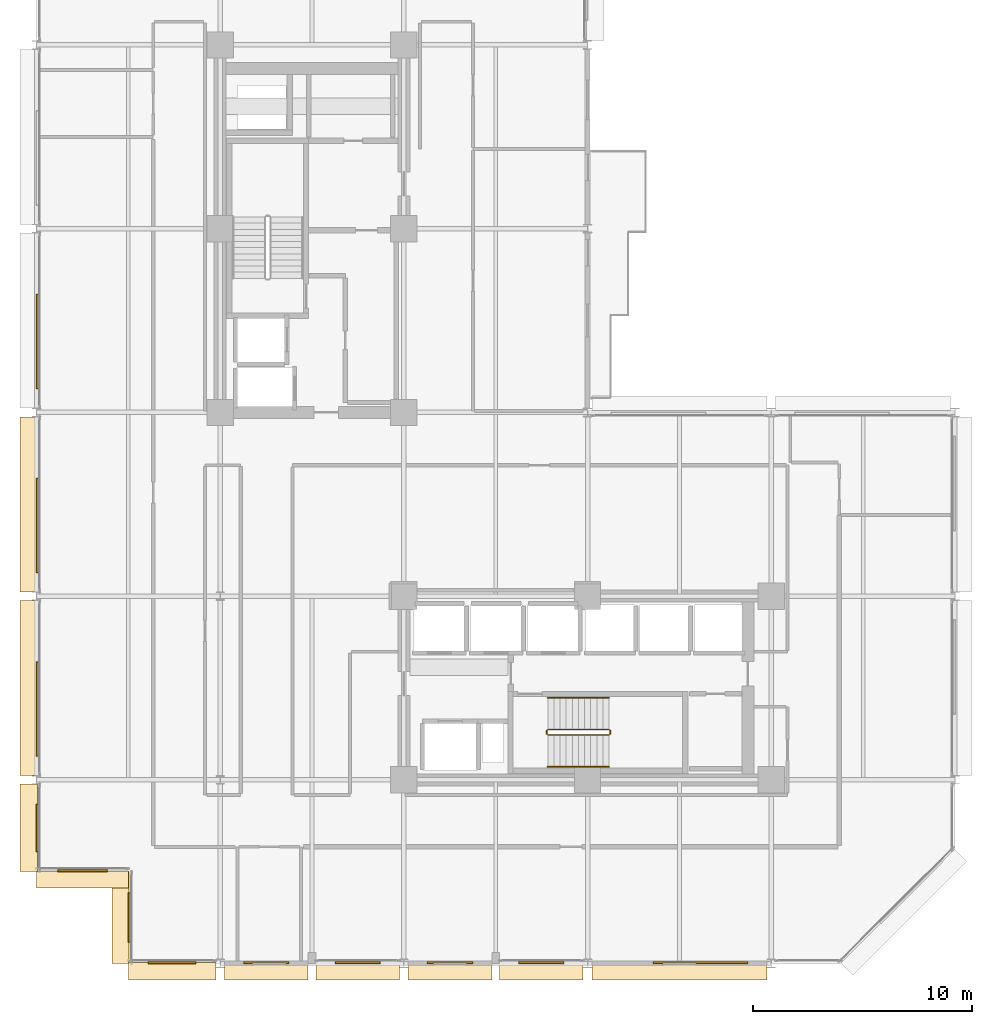
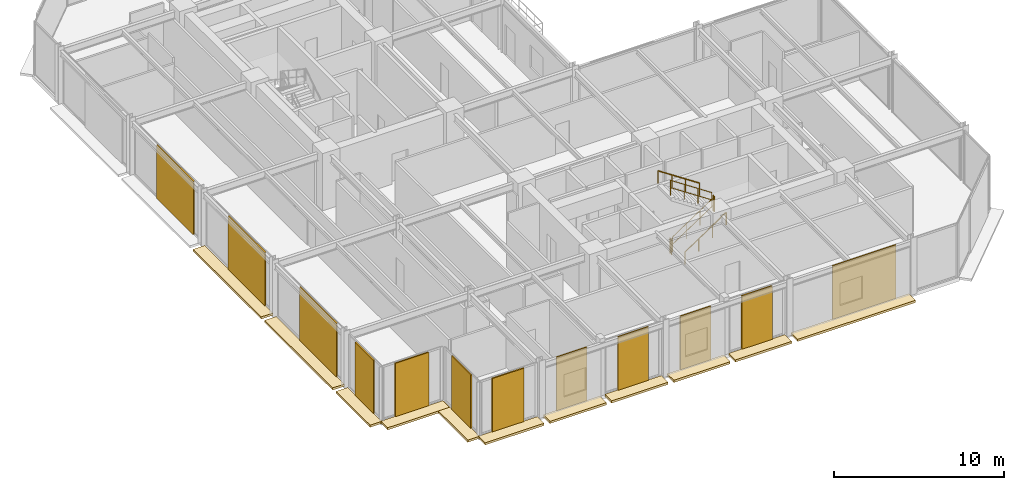
# One storey, part 27 of 30: 23 coverings, 6 railings.
"""IFC4 building model written with IfcOpenShell, lengths in metres."""

from ifc_helpers import new_model, si_unit, direction, frame, origin, origin_2d, place, context, subcontext, project, spatial, polyline, rectangle, circle, outline, extrude, material, layer, layer_set, type_object, element, save


model = new_model("IFC4")

# Units and contexts
model_context = context("Model", 3, precision=1e-05, world=origin(), true_north=direction((0.0, 1.0)))
body_context = subcontext(model_context, "Body", "Model", "MODEL_VIEW")
ifc_project = project(units=[si_unit("LENGTHUNIT", "METRE"), si_unit("AREAUNIT", "SQUARE_METRE"), si_unit("VOLUMEUNIT", "CUBIC_METRE"), si_unit("PLANEANGLEUNIT", "RADIAN"), si_unit("MASSUNIT", "GRAM", prefix="KILO")], contexts=[model_context])

# Site, building, storey
site_placement = place(None, origin())
site = spatial("IfcSite", under=ifc_project, at=site_placement, CompositionType="ELEMENT")
building_placement = place(site_placement, origin())
building = spatial("IfcBuilding", under=site, at=building_placement, Name="Nerrivon Quay Data Exchange", CompositionType="ELEMENT")
storey_placement = place(building_placement, frame((0.0, 0.0, 154.10009765625)))
storey = spatial("IfcBuildingStorey", under=building, at=storey_placement, Name="L36", CompositionType="ELEMENT", Elevation=154.10009765625)

# Coverings
ifc_material_1 = material(Name="Architectural terracotta ceramic", Category="masonry")
ifc_layer_1 = layer(ifc_material_1, 0.159912109375)
ifc_layer_set_1 = layer_set([ifc_layer_1], Name="Architectural terracotta ceramic")
covering_type_1 = type_object("IfcCoveringType", Name="COV-BLD-TERR", PredefinedType="CLADDING", material=ifc_layer_set_1)
covering_1_placement = place(storey_placement, frame((0.0, 0.0, -0.16015625)))
element("IfcCovering", 1, at=covering_1_placement, inside=storey, type_object=covering_type_1, Name="L36 Horizontal Terracotta SOLAR SCREEN Blade", PredefinedType="CLADDING", context=body_context, shape_type="SweptSolid", body=[
    extrude(outline(polyline([(33.39990234375, 0.0400390625), (25.39990234375, 0.0400390625), (25.39990234375, -0.75), (33.39990234375, -0.75), (33.39990234375, 0.0400390625)])), origin(), (0.0, 0.0, 1.0), 0.16015625),
])
covering_2_placement = place(storey_placement, frame((0.0, 0.0, -0.16015625)))
element("IfcCovering", 2, at=covering_2_placement, inside=storey, type_object=covering_type_1, Name="L36 Horizontal Terracotta SOLAR SCREEN Blade", PredefinedType="CLADDING", context=body_context, shape_type="SweptSolid", body=[
    extrude(outline(polyline([(25.0, 0.0400390625), (21.175048828125, 0.0400390625), (21.175048828125, -0.75), (25.0, -0.75), (25.0, 0.0400390625)])), origin(), (0.0, 0.0, 1.0), 0.16015625),
])
covering_3_placement = place(storey_placement, frame((0.0, 0.0, -0.16015625)))
element("IfcCovering", 3, at=covering_3_placement, inside=storey, type_object=covering_type_1, Name="L36 Horizontal Terracotta SOLAR SCREEN Blade", PredefinedType="CLADDING", context=body_context, shape_type="SweptSolid", body=[
    extrude(outline(polyline([(20.824951171875, 0.0400390625), (17.0, 0.0400390625), (17.0, -0.75), (20.824951171875, -0.75), (20.824951171875, 0.0400390625)])), origin(), (0.0, 0.0, 1.0), 0.16015625),
])
covering_4_placement = place(storey_placement, frame((0.0, 0.0, -0.16015625)))
element("IfcCovering", 4, at=covering_4_placement, inside=storey, type_object=covering_type_1, Name="L36 Horizontal Terracotta SOLAR SCREEN Blade", PredefinedType="CLADDING", context=body_context, shape_type="SweptSolid", body=[
    extrude(outline(polyline([(16.60009765625, 0.0400390625), (12.77490234375, 0.0400390625), (12.77490234375, -0.75), (16.60009765625, -0.75), (16.60009765625, 0.0400390625)])), origin(), (0.0, 0.0, 1.0), 0.16015625),
])
covering_5_placement = place(storey_placement, frame((0.0, 0.0, -0.16015625)))
element("IfcCovering", 5, at=covering_5_placement, inside=storey, type_object=covering_type_1, Name="L36 Horizontal Terracotta SOLAR SCREEN Blade", PredefinedType="CLADDING", context=body_context, shape_type="SweptSolid", body=[
    extrude(outline(polyline([(12.425048828125, 0.0400390625), (8.60009765625, 0.0400390625), (8.60009765625, -0.75), (12.425048828125, -0.75), (12.425048828125, 0.0400390625)])), origin(), (0.0, 0.0, 1.0), 0.16015625),
])
covering_6_placement = place(storey_placement, frame((0.0, 0.0, -0.16015625)))
element("IfcCovering", 6, at=covering_6_placement, inside=storey, type_object=covering_type_1, Name="L36 Horizontal Terracotta SOLAR SCREEN Blade", PredefinedType="CLADDING", context=body_context, shape_type="SweptSolid", body=[
    extrude(outline(polyline([(8.199951171875, 0.0400390625), (4.199951171875, 0.0400390625), (4.199951171875, -0.75), (8.199951171875, -0.75), (8.199951171875, 0.0400390625)])), origin(), (0.0, 0.0, 1.0), 0.16015625),
])
covering_7_placement = place(storey_placement, frame((0.0, 0.0, -0.16015625)))
element("IfcCovering", 7, at=covering_7_placement, inside=storey, type_object=covering_type_1, Name="L36 Horizontal Terracotta SOLAR SCREEN Blade", PredefinedType="CLADDING", context=body_context, shape_type="SweptSolid", body=[
    extrude(outline(polyline([(4.239990234375, 0.0), (4.239990234375, 4.199951171875), (3.449951171875, 4.199951171875), (3.449951171875, 0.0), (4.239990234375, 0.0)])), origin(), (0.0, 0.0, 1.0), 0.16015625),
])
covering_8_placement = place(storey_placement, frame((0.0, 0.0, -0.16015625)))
element("IfcCovering", 8, at=covering_8_placement, inside=storey, type_object=covering_type_1, Name="L36 Horizontal Terracotta SOLAR SCREEN Blade", PredefinedType="CLADDING", context=body_context, shape_type="SweptSolid", body=[
    extrude(outline(polyline([(4.199951171875, 4.239990234375), (0.0, 4.239990234375), (0.0, 3.449951171875), (4.199951171875, 3.449951171875), (4.199951171875, 4.239990234375)])), origin(), (0.0, 0.0, 1.0), 0.16015625),
])
covering_9_placement = place(storey_placement, frame((0.0, 0.0, -0.16015625)))
element("IfcCovering", 9, at=covering_9_placement, inside=storey, type_object=covering_type_1, Name="L36 Horizontal Terracotta SOLAR SCREEN Blade", PredefinedType="CLADDING", context=body_context, shape_type="SweptSolid", body=[
    extrude(outline(polyline([(0.0400390625, 4.199951171875), (0.0400390625, 8.199951171875), (-0.75, 8.199951171875), (-0.75, 4.199951171875), (0.0400390625, 4.199951171875)])), origin(), (0.0, 0.0, 1.0), 0.16015625),
])
covering_10_placement = place(storey_placement, frame((0.0, 0.0, -0.16015625)))
element("IfcCovering", 10, at=covering_10_placement, inside=storey, type_object=covering_type_1, Name="L36 Horizontal Terracotta SOLAR SCREEN Blade", PredefinedType="CLADDING", context=body_context, shape_type="SweptSolid", body=[
    extrude(outline(polyline([(0.0400390625, 8.60009765625), (0.0400390625, 16.60009765625), (-0.75, 16.60009765625), (-0.75, 8.60009765625), (0.0400390625, 8.60009765625)])), origin(), (0.0, 0.0, 1.0), 0.16015625),
])
covering_11_placement = place(storey_placement, frame((0.0, 0.0, -0.16015625)))
element("IfcCovering", 11, at=covering_11_placement, inside=storey, type_object=covering_type_1, Name="L36 Horizontal Terracotta SOLAR SCREEN Blade", PredefinedType="CLADDING", context=body_context, shape_type="SweptSolid", body=[
    extrude(outline(polyline([(0.0400390625, 17.0), (0.0400390625, 25.0), (-0.75, 25.0), (-0.75, 17.0), (0.0400390625, 17.0)])), origin(), (0.0, 0.0, 1.0), 0.16015625),
])
ifc_layer_2 = layer(ifc_material_1, 0.090087890625)
ifc_layer_set_2 = layer_set([ifc_layer_2], Name="Architectural terracotta ceramic")
covering_type_2 = type_object("IfcCoveringType", Name="COV-SCR-TERR", PredefinedType="CLADDING", material=ifc_layer_set_2)
covering_12_placement = place(storey_placement, frame((30.360107421875, 0.044921875, 0.0), z_axis=(0.0, 0.0, 1.0), x_axis=(-1.0, 0.0, 0.0)))
element("IfcCovering", 12, at=covering_12_placement, inside=storey, type_object=covering_type_2, Name="L36 Perforated Terracotta SOLAR SCREEN Cassette", PredefinedType="CLADDING", context=body_context, shape_type="SweptSolid", body=[
    extrude(rectangle(XDim=4.320068359375, YDim=0.090087890625, at=origin_2d()), origin(), (0.0, 0.0, 1.0), 3.824951171875),
])
for number, where, z_axis, x_axis, name in (
    (13, (23.08740234375, 0.044921875, 0.0), (0.0, 0.0, 1.0), (-1.0, 0.0, 0.0), "L36 Perforated Terracotta SOLAR SCREEN Cassette"),
    (14, (18.91259765625, 0.044921875, 0.0), (0.0, 0.0, 1.0), (-1.0, 0.0, 0.0), "L36 Perforated Terracotta SOLAR SCREEN Cassette"),
):
    element("IfcCovering", number, at=place(storey_placement, frame(where, z_axis=z_axis, x_axis=x_axis)), inside=storey, type_object=covering_type_2, Name=name, PredefinedType="CLADDING", context=body_context, shape_type="SweptSolid", body=[
        extrude(rectangle(XDim=2.06494140625, YDim=0.090087890625, at=origin_2d()), origin(), (0.0, 0.0, 1.0), 3.824951171875),
    ])
for number, where, z_axis, x_axis, name in (
    (15, (14.6875, 0.044921875, 0.0), (0.0, 0.0, 1.0), (-1.0, 0.0, 0.0), "L36 Perforated Terracotta SOLAR SCREEN Cassette"),
    (16, (10.512451171875, 0.044921875, 0.0), (0.0, 0.0, 1.0), (-1.0, 0.0, 0.0), "L36 Perforated Terracotta SOLAR SCREEN Cassette"),
):
    element("IfcCovering", number, at=place(storey_placement, frame(where, z_axis=z_axis, x_axis=x_axis)), inside=storey, type_object=covering_type_2, Name=name, PredefinedType="CLADDING", context=body_context, shape_type="SweptSolid", body=[
        extrude(rectangle(XDim=2.06591796875, YDim=0.090087890625, at=origin_2d()), origin(), (0.0, 0.0, 1.0), 3.824951171875),
    ])
covering_13_placement = place(storey_placement, frame((6.199951171875, 0.044921875, 0.0), z_axis=(0.0, 0.0, 1.0), x_axis=(-1.0, 0.0, 0.0)))
element("IfcCovering", 17, at=covering_13_placement, inside=storey, type_object=covering_type_2, Name="L36 Perforated Terracotta SOLAR SCREEN Cassette", PredefinedType="CLADDING", context=body_context, shape_type="SweptSolid", body=[
    extrude(rectangle(XDim=2.159912109375, YDim=0.090087890625, at=origin_2d()), origin(), (0.0, 0.0, 1.0), 3.824951171875),
])
for number, where, z_axis, x_axis, name in (
    (18, (4.2451171875, 2.10009765625, 0.0), (0.0, 0.0, 1.0), (0.0, 1.0, 0.0), "L36 Perforated Terracotta SOLAR SCREEN Cassette"),
    (19, (2.10009765625, 4.2451171875, 0.0), (0.0, 0.0, 1.0), (-1.0, 0.0, 0.0), "L36 Perforated Terracotta SOLAR SCREEN Cassette"),
):
    element("IfcCovering", number, at=place(storey_placement, frame(where, z_axis=z_axis, x_axis=x_axis)), inside=storey, type_object=covering_type_2, Name=name, PredefinedType="CLADDING", context=body_context, shape_type="SweptSolid", body=[
        extrude(rectangle(XDim=2.26806640625, YDim=0.090087890625, at=origin_2d()), origin(), (0.0, 0.0, 1.0), 3.824951171875),
    ])
covering_14_placement = place(storey_placement, frame((0.044921875, 6.199951171875, 0.0), z_axis=(0.0, 0.0, 1.0), x_axis=(0.0, 1.0, 0.0)))
element("IfcCovering", 20, at=covering_14_placement, inside=storey, type_object=covering_type_2, Name="L36 Perforated Terracotta SOLAR SCREEN Cassette", PredefinedType="CLADDING", context=body_context, shape_type="SweptSolid", body=[
    extrude(rectangle(XDim=2.159912109375, YDim=0.090087890625, at=origin_2d()), origin(), (0.0, 0.0, 1.0), 3.824951171875),
])
for number, where, z_axis, x_axis, name in (
    (21, (0.044921875, 11.639892578125, 0.0), (0.0, 0.0, 1.0), (0.0, 1.0, 0.0), "L36 Perforated Terracotta SOLAR SCREEN Cassette"),
    (22, (0.044921875, 20.0400390625, 0.0), (0.0, 0.0, 1.0), (0.0, 1.0, 0.0), "L36 Perforated Terracotta SOLAR SCREEN Cassette"),
    (23, (0.044921875, 28.43994140625, 0.0), (0.0, 0.0, 1.0), (0.0, 1.0, 0.0), "L36 Perforated Terracotta SOLAR SCREEN Cassette"),
):
    element("IfcCovering", number, at=place(storey_placement, frame(where, z_axis=z_axis, x_axis=x_axis)), inside=storey, type_object=covering_type_2, Name=name, PredefinedType="CLADDING", context=body_context, shape_type="SweptSolid", body=[
        extrude(rectangle(XDim=4.320068359375, YDim=0.090087890625, at=origin_2d()), origin(), (0.0, 0.0, 1.0), 3.824951171875),
    ])

# Railings
ifc_material_2 = material(Name="Steel Grade C350L0 (350 MPa)", Category="steel")
railing_type_1 = type_object("IfcRailingType", Name="RAIL-HAND-HR1", PredefinedType="HANDRAIL", material=ifc_material_2)
railing_1_placement = place(storey_placement, frame((23.3798828125, 9.0, 0.186279296875)))
element("IfcRailing", 24, at=railing_1_placement, inside=storey, type_object=railing_type_1, Name="L36 ST02 stair handrail 1", PredefinedType="HANDRAIL", context=body_context, shape_type="SweptSolid", body=[
    extrude(circle(Radius=0.02392578125, at=origin_2d()), frame((0.0, 0.0, 0.8759765625), z_axis=(0.832485552168, 0.0, 0.554046753832), x_axis=(0.0, 1.0, 0.0)), (0.0, 0.0, 1.0), 3.363525390625),
    extrude(circle(Radius=0.02099609375, at=origin_2d()), origin(), (0.0, 0.0, 1.0), 0.851806640625),
    extrude(circle(Radius=0.02099609375, at=origin_2d()), frame((0.933349609375, 0.0, 0.62109375)), (0.0, 0.0, 1.0), 0.851806640625),
    extrude(circle(Radius=0.02099609375, at=origin_2d()), frame((1.86669921875, 0.0, 1.242431640625)), (0.0, 0.0, 1.0), 0.851806640625),
    extrude(circle(Radius=0.02099609375, at=origin_2d()), frame((2.800048828125, 0.0, 1.863525390625)), (0.0, 0.0, 1.0), 0.851806640625),
])
railing_2_placement = place(storey_placement, frame((26.179931640625, 12.14990234375, 2.236328125)))
element("IfcRailing", 25, at=railing_2_placement, inside=storey, type_object=railing_type_1, Name="L36 ST02 stair handrail 2", PredefinedType="HANDRAIL", context=body_context, shape_type="SweptSolid", body=[
    extrude(circle(Radius=0.02392578125, at=origin_2d()), frame((0.0, 0.0, 0.8759765625), z_axis=(-0.832485552168, 0.0, 0.554046753832), x_axis=(0.0, -1.0, 0.0)), (0.0, 0.0, 1.0), 3.363525390625),
    extrude(circle(Radius=0.02099609375, at=origin_2d()), origin(), (0.0, 0.0, 1.0), 0.851806640625),
    extrude(circle(Radius=0.02099609375, at=origin_2d()), frame((-0.933349609375, 0.0, 0.62109375)), (0.0, 0.0, 1.0), 0.851806640625),
    extrude(circle(Radius=0.02099609375, at=origin_2d()), frame((-1.86669921875, 0.0, 1.242431640625)), (0.0, 0.0, 1.0), 0.851806640625),
    extrude(circle(Radius=0.02099609375, at=origin_2d()), frame((-2.800048828125, 0.0, 1.863525390625)), (0.0, 0.0, 1.0), 0.851806640625),
])
railing_type_2 = type_object("IfcRailingType", Name="RAIL-STAIR-GR1", PredefinedType="BALUSTRADE", material=ifc_material_2)
railing_3_placement = place(storey_placement, frame((23.3798828125, 10.449951171875, 0.186279296875)))
element("IfcRailing", 26, at=railing_3_placement, inside=storey, type_object=railing_type_2, Name="L36 ST02 stair guard 1", PredefinedType="BALUSTRADE", context=body_context, shape_type="SweptSolid", body=[
    extrude(circle(Radius=0.02392578125, at=origin_2d()), frame((0.0, 0.0, 1.076171875), z_axis=(0.832485552168, 0.0, 0.554046753832), x_axis=(0.0, 1.0, 0.0)), (0.0, 0.0, 1.0), 3.363525390625),
    extrude(circle(Radius=0.02392578125, at=origin_2d()), frame((0.0, 0.0, 0.550048828125), z_axis=(0.832485552168, 0.0, 0.554046753832), x_axis=(0.0, 1.0, 0.0)), (0.0, 0.0, 1.0), 3.363525390625),
    extrude(circle(Radius=0.02099609375, at=origin_2d()), origin(), (0.0, 0.0, 1.0), 1.052001953125),
    extrude(circle(Radius=0.02099609375, at=origin_2d()), frame((0.933349609375, 0.0, 0.62109375)), (0.0, 0.0, 1.0), 1.052001953125),
    extrude(circle(Radius=0.02099609375, at=origin_2d()), frame((1.86669921875, 0.0, 1.242431640625)), (0.0, 0.0, 1.0), 1.052001953125),
    extrude(circle(Radius=0.02099609375, at=origin_2d()), frame((2.800048828125, 0.0, 1.863525390625)), (0.0, 0.0, 1.0), 1.052001953125),
])
railing_4_placement = place(storey_placement, frame((26.22998046875, 10.5, 2.0498046875)))
element("IfcRailing", 27, at=railing_4_placement, inside=storey, type_object=railing_type_2, Name="L36 ST02 stair guard 2", PredefinedType="BALUSTRADE", context=body_context, shape_type="SweptSolid", body=[
    extrude(circle(Radius=0.02392578125, at=origin_2d()), frame((0.0, 0.0, 1.076171875), z_axis=(0.0, 1.0, 0.0), x_axis=(-1.0, 0.0, 0.0)), (0.0, 0.0, 1.0), 0.14990234375),
    extrude(circle(Radius=0.02392578125, at=origin_2d()), frame((0.0, 0.0, 0.550048828125), z_axis=(0.0, 1.0, 0.0), x_axis=(-1.0, 0.0, 0.0)), (0.0, 0.0, 1.0), 0.14990234375),
    extrude(circle(Radius=0.02099609375, at=origin_2d()), origin(), (0.0, 0.0, 1.0), 1.052001953125),
    extrude(circle(Radius=0.02099609375, at=origin_2d()), frame((0.0, 0.14990234375, 0.0)), (0.0, 0.0, 1.0), 1.052001953125),
])
railing_5_placement = place(storey_placement, frame((26.179931640625, 10.699951171875, 2.236328125)))
element("IfcRailing", 28, at=railing_5_placement, inside=storey, type_object=railing_type_2, Name="L36 ST02 stair guard 3", PredefinedType="BALUSTRADE", context=body_context, shape_type="SweptSolid", body=[
    extrude(circle(Radius=0.02392578125, at=origin_2d()), frame((0.0, 0.0, 1.076171875), z_axis=(-0.832485552168, 0.0, 0.554046753832), x_axis=(0.0, -1.0, 0.0)), (0.0, 0.0, 1.0), 3.363525390625),
    extrude(circle(Radius=0.02392578125, at=origin_2d()), frame((0.0, 0.0, 0.550048828125), z_axis=(-0.832485552168, 0.0, 0.554046753832), x_axis=(0.0, -1.0, 0.0)), (0.0, 0.0, 1.0), 3.363525390625),
    extrude(circle(Radius=0.02099609375, at=origin_2d()), origin(), (0.0, 0.0, 1.0), 1.052001953125),
    extrude(circle(Radius=0.02099609375, at=origin_2d()), frame((-0.933349609375, 0.0, 0.62109375)), (0.0, 0.0, 1.0), 1.052001953125),
    extrude(circle(Radius=0.02099609375, at=origin_2d()), frame((-1.86669921875, 0.0, 1.242431640625)), (0.0, 0.0, 1.0), 1.052001953125),
    extrude(circle(Radius=0.02099609375, at=origin_2d()), frame((-2.800048828125, 0.0, 1.863525390625)), (0.0, 0.0, 1.0), 1.052001953125),
])
railing_6_placement = place(storey_placement, frame((23.330078125, 10.5, 0.0)))
element("IfcRailing", 29, at=railing_6_placement, inside=storey, type_object=railing_type_2, Name="L36 ST02 stair guard 4", PredefinedType="BALUSTRADE", context=body_context, shape_type="SweptSolid", body=[
    extrude(circle(Radius=0.02392578125, at=origin_2d()), frame((0.0, 0.0, 1.076171875), z_axis=(0.0, 1.0, 0.0), x_axis=(-1.0, 0.0, 0.0)), (0.0, 0.0, 1.0), 0.14990234375),
    extrude(circle(Radius=0.02392578125, at=origin_2d()), frame((0.0, 0.0, 0.550048828125), z_axis=(0.0, 1.0, 0.0), x_axis=(-1.0, 0.0, 0.0)), (0.0, 0.0, 1.0), 0.14990234375),
    extrude(circle(Radius=0.02099609375, at=origin_2d()), origin(), (0.0, 0.0, 1.0), 1.052001953125),
    extrude(circle(Radius=0.02099609375, at=origin_2d()), frame((0.0, 0.14990234375, 0.0)), (0.0, 0.0, 1.0), 1.052001953125),
])

save(model, "model.ifc")
